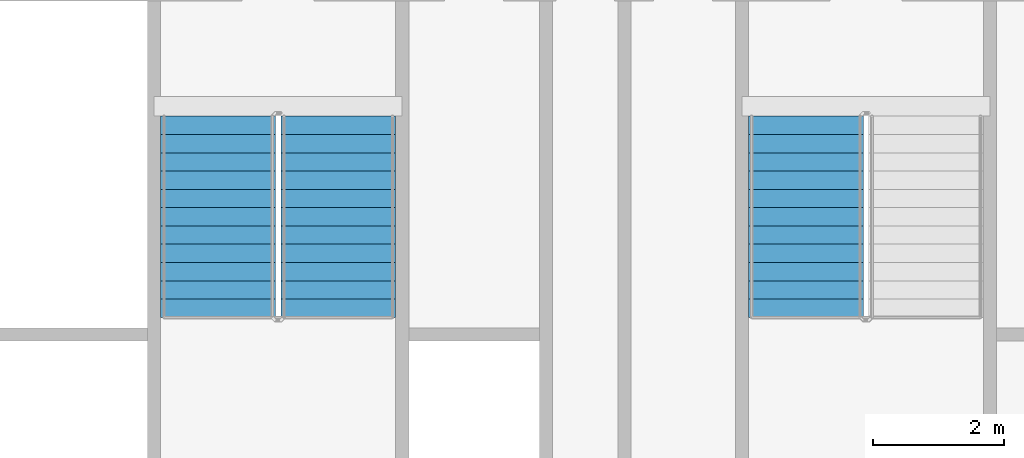
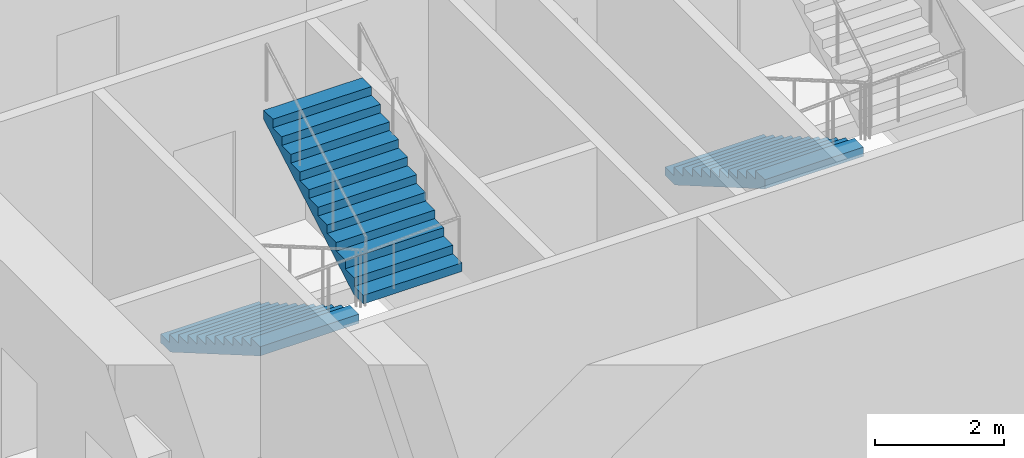
# One storey, part 15 of 22: 3 stair flights, 2 elements without a shape of their own.
"""IFC4 building model written with IfcOpenShell, lengths in metres."""

from ifc_helpers import new_model, si_unit, direction, frame, origin, place, context, subcontext, project, spatial, faceted_brep, material, type_object, element, aggregate, save


model = new_model("IFC4")

# Units and contexts
model_context = context("Model", 3, precision=1e-05, world=origin(), true_north=direction((0.0, 1.0)))
body_context = subcontext(model_context, "Body", "Model", "MODEL_VIEW")
ifc_project = project(units=[si_unit("LENGTHUNIT", "METRE"), si_unit("AREAUNIT", "SQUARE_METRE"), si_unit("VOLUMEUNIT", "CUBIC_METRE"), si_unit("PLANEANGLEUNIT", "RADIAN"), si_unit("MASSUNIT", "GRAM", prefix="KILO")], contexts=[model_context])

# Site, building, storey
site_placement = place(None, origin())
site = spatial("IfcSite", under=ifc_project, at=site_placement, CompositionType="ELEMENT")
building_placement = place(site_placement, origin())
building = spatial("IfcBuilding", under=site, at=building_placement, Name="Tarsis Ring Headquarters", CompositionType="ELEMENT")
storey_placement = place(building_placement, frame((0.0, 0.0, 79.0)))
storey = spatial("IfcBuildingStorey", under=building, at=storey_placement, Name="L17", CompositionType="ELEMENT", Elevation=79.0)

# Stair, stair flights
ifc_material_1 = material(Name="Core stair 1760")
stair_type = type_object("IfcStairType", Name="Core stair 1760", PredefinedType="HALF_TURN_STAIR", material=ifc_material_1)
stair_1_placement = place(storey_placement, origin())
stair_1 = element("IfcStair", 1, at=stair_1_placement, inside=storey, type_object=stair_type, Name="L17 Exit stair C", PredefinedType="HALF_TURN_STAIR")
ifc_material_2 = material(Name="Concrete C40/50", Category="concrete")
stair_flight_type = type_object("IfcStairFlightType", Name="Core stair flight 1760", PredefinedType="STRAIGHT", material=ifc_material_2)
stair_flight_1_placement = place(storey_placement, frame((-5.419921875, -3.659912109375, 0.0), z_axis=(0.0, 0.0, 1.0), x_axis=(0.0, -1.0, 0.0)))
stair_flight_1 = element("IfcStairFlight", 2, at=stair_flight_1_placement, type_object=stair_flight_type, Name="Stair ST3 flight 1", NumberOfRisers=12, NumberOfTreads=11, PredefinedType="STRAIGHT", RiserHeight=0.1625, TreadLength=0.28, context=body_context, shape_type="Brep", body=[
    faceted_brep([(0.0, 0.8798828125, 0.0), (0.0, 0.8798828125, 0.16259765625), (0.280029296875, 0.8798828125, 0.16259765625), (0.280029296875, 0.8798828125, 0.324951171875), (0.56005859375, 0.8798828125, 0.324951171875), (0.56005859375, 0.8798828125, 0.487548828125), (0.840087890625, 0.8798828125, 0.487548828125), (0.840087890625, 0.8798828125, 0.64990234375), (1.1201171875, 0.8798828125, 0.64990234375), (1.1201171875, 0.8798828125, 0.8125), (1.39990234375, 0.8798828125, 0.8125), (1.39990234375, 0.8798828125, 0.97509765625), (1.679931640625, 0.8798828125, 0.97509765625), (1.679931640625, 0.8798828125, 1.137451171875), (1.9599609375, 0.8798828125, 1.137451171875), (1.9599609375, 0.8798828125, 1.300048828125), (2.239990234375, 0.8798828125, 1.300048828125), (2.239990234375, 0.8798828125, 1.46240234375), (2.52001953125, 0.8798828125, 1.46240234375), (2.52001953125, 0.8798828125, 1.625), (2.800048828125, 0.8798828125, 1.625), (2.800048828125, 0.8798828125, 1.78759765625), (3.080078125, 0.8798828125, 1.78759765625), (3.080078125, 0.8798828125, 1.6142578125), (0.298583984375, 0.8798828125, 0.0), (0.298583984375, -0.8798828125, 0.0), (3.080078125, -0.8798828125, 1.6142578125), (3.080078125, -0.8798828125, 1.78759765625), (2.800048828125, -0.8798828125, 1.78759765625), (2.800048828125, -0.8798828125, 1.625), (2.52001953125, -0.8798828125, 1.625), (2.52001953125, -0.8798828125, 1.46240234375), (2.239990234375, -0.8798828125, 1.46240234375), (2.239990234375, -0.8798828125, 1.300048828125), (1.9599609375, -0.8798828125, 1.300048828125), (1.9599609375, -0.8798828125, 1.137451171875), (1.679931640625, -0.8798828125, 1.137451171875), (1.679931640625, -0.8798828125, 0.97509765625), (1.39990234375, -0.8798828125, 0.97509765625), (1.39990234375, -0.8798828125, 0.8125), (1.1201171875, -0.8798828125, 0.8125), (1.1201171875, -0.8798828125, 0.64990234375), (0.840087890625, -0.8798828125, 0.64990234375), (0.840087890625, -0.8798828125, 0.487548828125), (0.56005859375, -0.8798828125, 0.487548828125), (0.56005859375, -0.8798828125, 0.324951171875), (0.280029296875, -0.8798828125, 0.324951171875), (0.280029296875, -0.8798828125, 0.16259765625), (0.0, -0.8798828125, 0.16259765625), (0.0, -0.8798828125, 0.0), (0.0, -0.43994140625, 0.16259765625), (0.0, -0.43994140625, 0.0), (0.0, 0.0, 0.16259765625), (0.0, 0.0, 0.0), (0.0, 0.43994140625, 0.16259765625), (0.0, 0.43994140625, 0.0), (0.280029296875, -0.43994140625, 0.16259765625), (0.280029296875, 0.0, 0.16259765625), (0.280029296875, 0.43994140625, 0.16259765625), (0.280029296875, -0.43994140625, 0.324951171875), (0.280029296875, 0.0, 0.324951171875), (0.280029296875, 0.43994140625, 0.324951171875), (0.56005859375, -0.43994140625, 0.324951171875), (0.56005859375, 0.0, 0.324951171875), (0.56005859375, 0.43994140625, 0.324951171875), (0.56005859375, -0.43994140625, 0.487548828125), (0.56005859375, 0.0, 0.487548828125), (0.56005859375, 0.43994140625, 0.487548828125), (0.840087890625, -0.43994140625, 0.487548828125), (0.840087890625, 0.0, 0.487548828125), (0.840087890625, 0.43994140625, 0.487548828125), (0.840087890625, -0.43994140625, 0.64990234375), (0.840087890625, 0.0, 0.64990234375), (0.840087890625, 0.43994140625, 0.64990234375), (1.1201171875, -0.43994140625, 0.64990234375), (1.1201171875, 0.0, 0.64990234375), (1.1201171875, 0.43994140625, 0.64990234375), (1.1201171875, -0.43994140625, 0.8125), (1.1201171875, 0.0, 0.8125), (1.1201171875, 0.43994140625, 0.8125), (1.39990234375, -0.43994140625, 0.8125), (1.39990234375, 0.0, 0.8125), (1.39990234375, 0.43994140625, 0.8125), (1.39990234375, -0.43994140625, 0.97509765625), (1.39990234375, 0.0, 0.97509765625), (1.39990234375, 0.43994140625, 0.97509765625), (1.679931640625, -0.43994140625, 0.97509765625), (1.679931640625, 0.0, 0.97509765625), (1.679931640625, 0.43994140625, 0.97509765625), (1.679931640625, -0.43994140625, 1.137451171875), (1.679931640625, 0.0, 1.137451171875), (1.679931640625, 0.43994140625, 1.137451171875), (1.9599609375, -0.43994140625, 1.137451171875), (1.9599609375, 0.0, 1.137451171875), (1.9599609375, 0.43994140625, 1.137451171875), (1.9599609375, -0.43994140625, 1.300048828125), (1.9599609375, 0.0, 1.300048828125), (1.9599609375, 0.43994140625, 1.300048828125), (2.239990234375, -0.43994140625, 1.300048828125), (2.239990234375, 0.0, 1.300048828125), (2.239990234375, 0.43994140625, 1.300048828125), (2.239990234375, -0.43994140625, 1.46240234375), (2.239990234375, 0.0, 1.46240234375), (2.239990234375, 0.43994140625, 1.46240234375), (2.52001953125, -0.43994140625, 1.46240234375), (2.52001953125, 0.0, 1.46240234375), (2.52001953125, 0.43994140625, 1.46240234375), (2.52001953125, -0.43994140625, 1.625), (2.52001953125, 0.0, 1.625), (2.52001953125, 0.43994140625, 1.625), (2.800048828125, -0.43994140625, 1.625), (2.800048828125, 0.0, 1.625), (2.800048828125, 0.43994140625, 1.625), (2.800048828125, -0.43994140625, 1.78759765625), (2.800048828125, 0.0, 1.78759765625), (2.800048828125, 0.43994140625, 1.78759765625), (3.080078125, -0.43994140625, 1.78759765625), (3.080078125, 0.0, 1.78759765625), (3.080078125, 0.43994140625, 1.78759765625), (3.080078125, -0.43994140625, 1.6142578125), (3.080078125, 0.0, 1.6142578125), (3.080078125, 0.43994140625, 1.6142578125), (0.298583984375, -0.43994140625, 0.0), (0.298583984375, 0.0, 0.0), (0.298583984375, 0.43994140625, 0.0)], [[[0, 1, 2, 3, 4, 5, 6, 7, 8, 9, 10, 11, 12, 13, 14, 15, 16, 17, 18, 19, 20, 21, 22, 23, 24]], [[25, 26, 27, 28, 29, 30, 31, 32, 33, 34, 35, 36, 37, 38, 39, 40, 41, 42, 43, 44, 45, 46, 47, 48, 49]], [[49, 48, 50, 51]], [[51, 50, 52, 53]], [[53, 52, 54, 55]], [[55, 54, 1, 0]], [[48, 47, 56, 50]], [[50, 56, 57, 52]], [[52, 57, 58, 54]], [[54, 58, 2, 1]], [[47, 46, 59, 56]], [[56, 59, 60, 57]], [[57, 60, 61, 58]], [[58, 61, 3, 2]], [[46, 45, 62, 59]], [[59, 62, 63, 60]], [[60, 63, 64, 61]], [[61, 64, 4, 3]], [[45, 44, 65, 62]], [[62, 65, 66, 63]], [[63, 66, 67, 64]], [[64, 67, 5, 4]], [[44, 43, 68, 65]], [[65, 68, 69, 66]], [[66, 69, 70, 67]], [[67, 70, 6, 5]], [[43, 42, 71, 68]], [[68, 71, 72, 69]], [[69, 72, 73, 70]], [[70, 73, 7, 6]], [[42, 41, 74, 71]], [[71, 74, 75, 72]], [[72, 75, 76, 73]], [[73, 76, 8, 7]], [[41, 40, 77, 74]], [[74, 77, 78, 75]], [[75, 78, 79, 76]], [[76, 79, 9, 8]], [[40, 39, 80, 77]], [[77, 80, 81, 78]], [[78, 81, 82, 79]], [[79, 82, 10, 9]], [[39, 38, 83, 80]], [[80, 83, 84, 81]], [[81, 84, 85, 82]], [[82, 85, 11, 10]], [[38, 37, 86, 83]], [[83, 86, 87, 84]], [[84, 87, 88, 85]], [[85, 88, 12, 11]], [[37, 36, 89, 86]], [[86, 89, 90, 87]], [[87, 90, 91, 88]], [[88, 91, 13, 12]], [[36, 35, 92, 89]], [[89, 92, 93, 90]], [[90, 93, 94, 91]], [[91, 94, 14, 13]], [[35, 34, 95, 92]], [[92, 95, 96, 93]], [[93, 96, 97, 94]], [[94, 97, 15, 14]], [[34, 33, 98, 95]], [[95, 98, 99, 96]], [[96, 99, 100, 97]], [[97, 100, 16, 15]], [[33, 32, 101, 98]], [[98, 101, 102, 99]], [[99, 102, 103, 100]], [[100, 103, 17, 16]], [[32, 31, 104, 101]], [[101, 104, 105, 102]], [[102, 105, 106, 103]], [[103, 106, 18, 17]], [[31, 30, 107, 104]], [[104, 107, 108, 105]], [[105, 108, 109, 106]], [[106, 109, 19, 18]], [[30, 29, 110, 107]], [[107, 110, 111, 108]], [[108, 111, 112, 109]], [[109, 112, 20, 19]], [[29, 28, 113, 110]], [[110, 113, 114, 111]], [[111, 114, 115, 112]], [[112, 115, 21, 20]], [[28, 27, 116, 113]], [[113, 116, 117, 114]], [[114, 117, 118, 115]], [[115, 118, 22, 21]], [[27, 26, 119, 116]], [[116, 119, 120, 117]], [[117, 120, 121, 118]], [[118, 121, 23, 22]], [[26, 25, 122, 119]], [[119, 122, 123, 120]], [[120, 123, 124, 121]], [[121, 124, 24, 23]], [[25, 49, 51, 122]], [[122, 51, 53, 123]], [[123, 53, 55, 124]], [[124, 55, 0, 24]]]),
])
stair_flight_2_placement = place(storey_placement, frame((-3.580078125, -6.739990234375, 1.949951171875), z_axis=(0.0, 0.0, 1.0), x_axis=(0.0, 1.0, 0.0)))
stair_flight_2 = element("IfcStairFlight", 3, at=stair_flight_2_placement, type_object=stair_flight_type, Name="Stair ST3 flight 2", NumberOfRisers=12, NumberOfTreads=11, PredefinedType="STRAIGHT", RiserHeight=0.1625, TreadLength=0.28, context=body_context, shape_type="Brep", body=[
    faceted_brep([(0.0, 0.8798828125, 0.0), (0.0, 0.8798828125, 0.16259765625), (0.280029296875, 0.8798828125, 0.16259765625), (0.280029296875, 0.8798828125, 0.324951171875), (0.56005859375, 0.8798828125, 0.324951171875), (0.56005859375, 0.8798828125, 0.487548828125), (0.840087890625, 0.8798828125, 0.487548828125), (0.840087890625, 0.8798828125, 0.64990234375), (1.1201171875, 0.8798828125, 0.64990234375), (1.1201171875, 0.8798828125, 0.8125), (1.39990234375, 0.8798828125, 0.8125), (1.39990234375, 0.8798828125, 0.97509765625), (1.679931640625, 0.8798828125, 0.97509765625), (1.679931640625, 0.8798828125, 1.137451171875), (1.9599609375, 0.8798828125, 1.137451171875), (1.9599609375, 0.8798828125, 1.300048828125), (2.239990234375, 0.8798828125, 1.300048828125), (2.239990234375, 0.8798828125, 1.46240234375), (2.52001953125, 0.8798828125, 1.46240234375), (2.52001953125, 0.8798828125, 1.625), (2.800048828125, 0.8798828125, 1.625), (2.800048828125, 0.8798828125, 1.78759765625), (3.080078125, 0.8798828125, 1.78759765625), (3.080078125, 0.8798828125, 1.6142578125), (0.298583984375, 0.8798828125, 0.0), (0.298583984375, -0.8798828125, 0.0), (3.080078125, -0.8798828125, 1.6142578125), (3.080078125, -0.8798828125, 1.78759765625), (2.800048828125, -0.8798828125, 1.78759765625), (2.800048828125, -0.8798828125, 1.625), (2.52001953125, -0.8798828125, 1.625), (2.52001953125, -0.8798828125, 1.46240234375), (2.239990234375, -0.8798828125, 1.46240234375), (2.239990234375, -0.8798828125, 1.300048828125), (1.9599609375, -0.8798828125, 1.300048828125), (1.9599609375, -0.8798828125, 1.137451171875), (1.679931640625, -0.8798828125, 1.137451171875), (1.679931640625, -0.8798828125, 0.97509765625), (1.39990234375, -0.8798828125, 0.97509765625), (1.39990234375, -0.8798828125, 0.8125), (1.1201171875, -0.8798828125, 0.8125), (1.1201171875, -0.8798828125, 0.64990234375), (0.840087890625, -0.8798828125, 0.64990234375), (0.840087890625, -0.8798828125, 0.487548828125), (0.56005859375, -0.8798828125, 0.487548828125), (0.56005859375, -0.8798828125, 0.324951171875), (0.280029296875, -0.8798828125, 0.324951171875), (0.280029296875, -0.8798828125, 0.16259765625), (0.0, -0.8798828125, 0.16259765625), (0.0, -0.8798828125, 0.0), (0.0, -0.43994140625, 0.16259765625), (0.0, -0.43994140625, 0.0), (0.0, 0.0, 0.16259765625), (0.0, 0.0, 0.0), (0.0, 0.43994140625, 0.16259765625), (0.0, 0.43994140625, 0.0), (0.280029296875, -0.43994140625, 0.16259765625), (0.280029296875, 0.0, 0.16259765625), (0.280029296875, 0.43994140625, 0.16259765625), (0.280029296875, -0.43994140625, 0.324951171875), (0.280029296875, 0.0, 0.324951171875), (0.280029296875, 0.43994140625, 0.324951171875), (0.56005859375, -0.43994140625, 0.324951171875), (0.56005859375, 0.0, 0.324951171875), (0.56005859375, 0.43994140625, 0.324951171875), (0.56005859375, -0.43994140625, 0.487548828125), (0.56005859375, 0.0, 0.487548828125), (0.56005859375, 0.43994140625, 0.487548828125), (0.840087890625, -0.43994140625, 0.487548828125), (0.840087890625, 0.0, 0.487548828125), (0.840087890625, 0.43994140625, 0.487548828125), (0.840087890625, -0.43994140625, 0.64990234375), (0.840087890625, 0.0, 0.64990234375), (0.840087890625, 0.43994140625, 0.64990234375), (1.1201171875, -0.43994140625, 0.64990234375), (1.1201171875, 0.0, 0.64990234375), (1.1201171875, 0.43994140625, 0.64990234375), (1.1201171875, -0.43994140625, 0.8125), (1.1201171875, 0.0, 0.8125), (1.1201171875, 0.43994140625, 0.8125), (1.39990234375, -0.43994140625, 0.8125), (1.39990234375, 0.0, 0.8125), (1.39990234375, 0.43994140625, 0.8125), (1.39990234375, -0.43994140625, 0.97509765625), (1.39990234375, 0.0, 0.97509765625), (1.39990234375, 0.43994140625, 0.97509765625), (1.679931640625, -0.43994140625, 0.97509765625), (1.679931640625, 0.0, 0.97509765625), (1.679931640625, 0.43994140625, 0.97509765625), (1.679931640625, -0.43994140625, 1.137451171875), (1.679931640625, 0.0, 1.137451171875), (1.679931640625, 0.43994140625, 1.137451171875), (1.9599609375, -0.43994140625, 1.137451171875), (1.9599609375, 0.0, 1.137451171875), (1.9599609375, 0.43994140625, 1.137451171875), (1.9599609375, -0.43994140625, 1.300048828125), (1.9599609375, 0.0, 1.300048828125), (1.9599609375, 0.43994140625, 1.300048828125), (2.239990234375, -0.43994140625, 1.300048828125), (2.239990234375, 0.0, 1.300048828125), (2.239990234375, 0.43994140625, 1.300048828125), (2.239990234375, -0.43994140625, 1.46240234375), (2.239990234375, 0.0, 1.46240234375), (2.239990234375, 0.43994140625, 1.46240234375), (2.52001953125, -0.43994140625, 1.46240234375), (2.52001953125, 0.0, 1.46240234375), (2.52001953125, 0.43994140625, 1.46240234375), (2.52001953125, -0.43994140625, 1.625), (2.52001953125, 0.0, 1.625), (2.52001953125, 0.43994140625, 1.625), (2.800048828125, -0.43994140625, 1.625), (2.800048828125, 0.0, 1.625), (2.800048828125, 0.43994140625, 1.625), (2.800048828125, -0.43994140625, 1.78759765625), (2.800048828125, 0.0, 1.78759765625), (2.800048828125, 0.43994140625, 1.78759765625), (3.080078125, -0.43994140625, 1.78759765625), (3.080078125, 0.0, 1.78759765625), (3.080078125, 0.43994140625, 1.78759765625), (3.080078125, -0.43994140625, 1.6142578125), (3.080078125, 0.0, 1.6142578125), (3.080078125, 0.43994140625, 1.6142578125), (0.298583984375, -0.43994140625, 0.0), (0.298583984375, 0.0, 0.0), (0.298583984375, 0.43994140625, 0.0)], [[[0, 1, 2, 3, 4, 5, 6, 7, 8, 9, 10, 11, 12, 13, 14, 15, 16, 17, 18, 19, 20, 21, 22, 23, 24]], [[25, 26, 27, 28, 29, 30, 31, 32, 33, 34, 35, 36, 37, 38, 39, 40, 41, 42, 43, 44, 45, 46, 47, 48, 49]], [[49, 48, 50, 51]], [[51, 50, 52, 53]], [[53, 52, 54, 55]], [[55, 54, 1, 0]], [[48, 47, 56, 50]], [[50, 56, 57, 52]], [[52, 57, 58, 54]], [[54, 58, 2, 1]], [[47, 46, 59, 56]], [[56, 59, 60, 57]], [[57, 60, 61, 58]], [[58, 61, 3, 2]], [[46, 45, 62, 59]], [[59, 62, 63, 60]], [[60, 63, 64, 61]], [[61, 64, 4, 3]], [[45, 44, 65, 62]], [[62, 65, 66, 63]], [[63, 66, 67, 64]], [[64, 67, 5, 4]], [[44, 43, 68, 65]], [[65, 68, 69, 66]], [[66, 69, 70, 67]], [[67, 70, 6, 5]], [[43, 42, 71, 68]], [[68, 71, 72, 69]], [[69, 72, 73, 70]], [[70, 73, 7, 6]], [[42, 41, 74, 71]], [[71, 74, 75, 72]], [[72, 75, 76, 73]], [[73, 76, 8, 7]], [[41, 40, 77, 74]], [[74, 77, 78, 75]], [[75, 78, 79, 76]], [[76, 79, 9, 8]], [[40, 39, 80, 77]], [[77, 80, 81, 78]], [[78, 81, 82, 79]], [[79, 82, 10, 9]], [[39, 38, 83, 80]], [[80, 83, 84, 81]], [[81, 84, 85, 82]], [[82, 85, 11, 10]], [[38, 37, 86, 83]], [[83, 86, 87, 84]], [[84, 87, 88, 85]], [[85, 88, 12, 11]], [[37, 36, 89, 86]], [[86, 89, 90, 87]], [[87, 90, 91, 88]], [[88, 91, 13, 12]], [[36, 35, 92, 89]], [[89, 92, 93, 90]], [[90, 93, 94, 91]], [[91, 94, 14, 13]], [[35, 34, 95, 92]], [[92, 95, 96, 93]], [[93, 96, 97, 94]], [[94, 97, 15, 14]], [[34, 33, 98, 95]], [[95, 98, 99, 96]], [[96, 99, 100, 97]], [[97, 100, 16, 15]], [[33, 32, 101, 98]], [[98, 101, 102, 99]], [[99, 102, 103, 100]], [[100, 103, 17, 16]], [[32, 31, 104, 101]], [[101, 104, 105, 102]], [[102, 105, 106, 103]], [[103, 106, 18, 17]], [[31, 30, 107, 104]], [[104, 107, 108, 105]], [[105, 108, 109, 106]], [[106, 109, 19, 18]], [[30, 29, 110, 107]], [[107, 110, 111, 108]], [[108, 111, 112, 109]], [[109, 112, 20, 19]], [[29, 28, 113, 110]], [[110, 113, 114, 111]], [[111, 114, 115, 112]], [[112, 115, 21, 20]], [[28, 27, 116, 113]], [[113, 116, 117, 114]], [[114, 117, 118, 115]], [[115, 118, 22, 21]], [[27, 26, 119, 116]], [[116, 119, 120, 117]], [[117, 120, 121, 118]], [[118, 121, 23, 22]], [[26, 25, 122, 119]], [[119, 122, 123, 120]], [[120, 123, 124, 121]], [[121, 124, 24, 23]], [[25, 49, 51, 122]], [[122, 51, 53, 123]], [[123, 53, 55, 124]], [[124, 55, 0, 24]]]),
])
aggregate(stair_1, [stair_flight_1, stair_flight_2])

# Stair, stair flight
stair_2_placement = place(storey_placement, origin())
stair_2 = element("IfcStair", 4, at=stair_2_placement, inside=storey, type_object=stair_type, Name="L17 Exit stair D", PredefinedType="HALF_TURN_STAIR")
stair_flight_3_placement = place(storey_placement, frame((3.580078125, -3.659912109375, 0.0), z_axis=(0.0, 0.0, 1.0), x_axis=(0.0, -1.0, 0.0)))
stair_flight_3 = element("IfcStairFlight", 5, at=stair_flight_3_placement, type_object=stair_flight_type, Name="Stair ST4 flight 1", NumberOfRisers=12, NumberOfTreads=11, PredefinedType="STRAIGHT", RiserHeight=0.1625, TreadLength=0.28, context=body_context, shape_type="Brep", body=[
    faceted_brep([(0.0, 0.8798828125, 0.0), (0.0, 0.8798828125, 0.16259765625), (0.280029296875, 0.8798828125, 0.16259765625), (0.280029296875, 0.8798828125, 0.324951171875), (0.56005859375, 0.8798828125, 0.324951171875), (0.56005859375, 0.8798828125, 0.487548828125), (0.840087890625, 0.8798828125, 0.487548828125), (0.840087890625, 0.8798828125, 0.64990234375), (1.1201171875, 0.8798828125, 0.64990234375), (1.1201171875, 0.8798828125, 0.8125), (1.39990234375, 0.8798828125, 0.8125), (1.39990234375, 0.8798828125, 0.97509765625), (1.679931640625, 0.8798828125, 0.97509765625), (1.679931640625, 0.8798828125, 1.137451171875), (1.9599609375, 0.8798828125, 1.137451171875), (1.9599609375, 0.8798828125, 1.300048828125), (2.239990234375, 0.8798828125, 1.300048828125), (2.239990234375, 0.8798828125, 1.46240234375), (2.52001953125, 0.8798828125, 1.46240234375), (2.52001953125, 0.8798828125, 1.625), (2.800048828125, 0.8798828125, 1.625), (2.800048828125, 0.8798828125, 1.78759765625), (3.080078125, 0.8798828125, 1.78759765625), (3.080078125, 0.8798828125, 1.6142578125), (0.298583984375, 0.8798828125, 0.0), (0.298583984375, -0.8798828125, 0.0), (3.080078125, -0.8798828125, 1.6142578125), (3.080078125, -0.8798828125, 1.78759765625), (2.800048828125, -0.8798828125, 1.78759765625), (2.800048828125, -0.8798828125, 1.625), (2.52001953125, -0.8798828125, 1.625), (2.52001953125, -0.8798828125, 1.46240234375), (2.239990234375, -0.8798828125, 1.46240234375), (2.239990234375, -0.8798828125, 1.300048828125), (1.9599609375, -0.8798828125, 1.300048828125), (1.9599609375, -0.8798828125, 1.137451171875), (1.679931640625, -0.8798828125, 1.137451171875), (1.679931640625, -0.8798828125, 0.97509765625), (1.39990234375, -0.8798828125, 0.97509765625), (1.39990234375, -0.8798828125, 0.8125), (1.1201171875, -0.8798828125, 0.8125), (1.1201171875, -0.8798828125, 0.64990234375), (0.840087890625, -0.8798828125, 0.64990234375), (0.840087890625, -0.8798828125, 0.487548828125), (0.56005859375, -0.8798828125, 0.487548828125), (0.56005859375, -0.8798828125, 0.324951171875), (0.280029296875, -0.8798828125, 0.324951171875), (0.280029296875, -0.8798828125, 0.16259765625), (0.0, -0.8798828125, 0.16259765625), (0.0, -0.8798828125, 0.0), (0.0, -0.43994140625, 0.16259765625), (0.0, -0.43994140625, 0.0), (0.0, 0.0, 0.16259765625), (0.0, 0.0, 0.0), (0.0, 0.43994140625, 0.16259765625), (0.0, 0.43994140625, 0.0), (0.280029296875, -0.43994140625, 0.16259765625), (0.280029296875, 0.0, 0.16259765625), (0.280029296875, 0.43994140625, 0.16259765625), (0.280029296875, -0.43994140625, 0.324951171875), (0.280029296875, 0.0, 0.324951171875), (0.280029296875, 0.43994140625, 0.324951171875), (0.56005859375, -0.43994140625, 0.324951171875), (0.56005859375, 0.0, 0.324951171875), (0.56005859375, 0.43994140625, 0.324951171875), (0.56005859375, -0.43994140625, 0.487548828125), (0.56005859375, 0.0, 0.487548828125), (0.56005859375, 0.43994140625, 0.487548828125), (0.840087890625, -0.43994140625, 0.487548828125), (0.840087890625, 0.0, 0.487548828125), (0.840087890625, 0.43994140625, 0.487548828125), (0.840087890625, -0.43994140625, 0.64990234375), (0.840087890625, 0.0, 0.64990234375), (0.840087890625, 0.43994140625, 0.64990234375), (1.1201171875, -0.43994140625, 0.64990234375), (1.1201171875, 0.0, 0.64990234375), (1.1201171875, 0.43994140625, 0.64990234375), (1.1201171875, -0.43994140625, 0.8125), (1.1201171875, 0.0, 0.8125), (1.1201171875, 0.43994140625, 0.8125), (1.39990234375, -0.43994140625, 0.8125), (1.39990234375, 0.0, 0.8125), (1.39990234375, 0.43994140625, 0.8125), (1.39990234375, -0.43994140625, 0.97509765625), (1.39990234375, 0.0, 0.97509765625), (1.39990234375, 0.43994140625, 0.97509765625), (1.679931640625, -0.43994140625, 0.97509765625), (1.679931640625, 0.0, 0.97509765625), (1.679931640625, 0.43994140625, 0.97509765625), (1.679931640625, -0.43994140625, 1.137451171875), (1.679931640625, 0.0, 1.137451171875), (1.679931640625, 0.43994140625, 1.137451171875), (1.9599609375, -0.43994140625, 1.137451171875), (1.9599609375, 0.0, 1.137451171875), (1.9599609375, 0.43994140625, 1.137451171875), (1.9599609375, -0.43994140625, 1.300048828125), (1.9599609375, 0.0, 1.300048828125), (1.9599609375, 0.43994140625, 1.300048828125), (2.239990234375, -0.43994140625, 1.300048828125), (2.239990234375, 0.0, 1.300048828125), (2.239990234375, 0.43994140625, 1.300048828125), (2.239990234375, -0.43994140625, 1.46240234375), (2.239990234375, 0.0, 1.46240234375), (2.239990234375, 0.43994140625, 1.46240234375), (2.52001953125, -0.43994140625, 1.46240234375), (2.52001953125, 0.0, 1.46240234375), (2.52001953125, 0.43994140625, 1.46240234375), (2.52001953125, -0.43994140625, 1.625), (2.52001953125, 0.0, 1.625), (2.52001953125, 0.43994140625, 1.625), (2.800048828125, -0.43994140625, 1.625), (2.800048828125, 0.0, 1.625), (2.800048828125, 0.43994140625, 1.625), (2.800048828125, -0.43994140625, 1.78759765625), (2.800048828125, 0.0, 1.78759765625), (2.800048828125, 0.43994140625, 1.78759765625), (3.080078125, -0.43994140625, 1.78759765625), (3.080078125, 0.0, 1.78759765625), (3.080078125, 0.43994140625, 1.78759765625), (3.080078125, -0.43994140625, 1.6142578125), (3.080078125, 0.0, 1.6142578125), (3.080078125, 0.43994140625, 1.6142578125), (0.298583984375, -0.43994140625, 0.0), (0.298583984375, 0.0, 0.0), (0.298583984375, 0.43994140625, 0.0)], [[[0, 1, 2, 3, 4, 5, 6, 7, 8, 9, 10, 11, 12, 13, 14, 15, 16, 17, 18, 19, 20, 21, 22, 23, 24]], [[25, 26, 27, 28, 29, 30, 31, 32, 33, 34, 35, 36, 37, 38, 39, 40, 41, 42, 43, 44, 45, 46, 47, 48, 49]], [[49, 48, 50, 51]], [[51, 50, 52, 53]], [[53, 52, 54, 55]], [[55, 54, 1, 0]], [[48, 47, 56, 50]], [[50, 56, 57, 52]], [[52, 57, 58, 54]], [[54, 58, 2, 1]], [[47, 46, 59, 56]], [[56, 59, 60, 57]], [[57, 60, 61, 58]], [[58, 61, 3, 2]], [[46, 45, 62, 59]], [[59, 62, 63, 60]], [[60, 63, 64, 61]], [[61, 64, 4, 3]], [[45, 44, 65, 62]], [[62, 65, 66, 63]], [[63, 66, 67, 64]], [[64, 67, 5, 4]], [[44, 43, 68, 65]], [[65, 68, 69, 66]], [[66, 69, 70, 67]], [[67, 70, 6, 5]], [[43, 42, 71, 68]], [[68, 71, 72, 69]], [[69, 72, 73, 70]], [[70, 73, 7, 6]], [[42, 41, 74, 71]], [[71, 74, 75, 72]], [[72, 75, 76, 73]], [[73, 76, 8, 7]], [[41, 40, 77, 74]], [[74, 77, 78, 75]], [[75, 78, 79, 76]], [[76, 79, 9, 8]], [[40, 39, 80, 77]], [[77, 80, 81, 78]], [[78, 81, 82, 79]], [[79, 82, 10, 9]], [[39, 38, 83, 80]], [[80, 83, 84, 81]], [[81, 84, 85, 82]], [[82, 85, 11, 10]], [[38, 37, 86, 83]], [[83, 86, 87, 84]], [[84, 87, 88, 85]], [[85, 88, 12, 11]], [[37, 36, 89, 86]], [[86, 89, 90, 87]], [[87, 90, 91, 88]], [[88, 91, 13, 12]], [[36, 35, 92, 89]], [[89, 92, 93, 90]], [[90, 93, 94, 91]], [[91, 94, 14, 13]], [[35, 34, 95, 92]], [[92, 95, 96, 93]], [[93, 96, 97, 94]], [[94, 97, 15, 14]], [[34, 33, 98, 95]], [[95, 98, 99, 96]], [[96, 99, 100, 97]], [[97, 100, 16, 15]], [[33, 32, 101, 98]], [[98, 101, 102, 99]], [[99, 102, 103, 100]], [[100, 103, 17, 16]], [[32, 31, 104, 101]], [[101, 104, 105, 102]], [[102, 105, 106, 103]], [[103, 106, 18, 17]], [[31, 30, 107, 104]], [[104, 107, 108, 105]], [[105, 108, 109, 106]], [[106, 109, 19, 18]], [[30, 29, 110, 107]], [[107, 110, 111, 108]], [[108, 111, 112, 109]], [[109, 112, 20, 19]], [[29, 28, 113, 110]], [[110, 113, 114, 111]], [[111, 114, 115, 112]], [[112, 115, 21, 20]], [[28, 27, 116, 113]], [[113, 116, 117, 114]], [[114, 117, 118, 115]], [[115, 118, 22, 21]], [[27, 26, 119, 116]], [[116, 119, 120, 117]], [[117, 120, 121, 118]], [[118, 121, 23, 22]], [[26, 25, 122, 119]], [[119, 122, 123, 120]], [[120, 123, 124, 121]], [[121, 124, 24, 23]], [[25, 49, 51, 122]], [[122, 51, 53, 123]], [[123, 53, 55, 124]], [[124, 55, 0, 24]]]),
])
aggregate(stair_2, [stair_flight_3])

save(model, "model.ifc")
